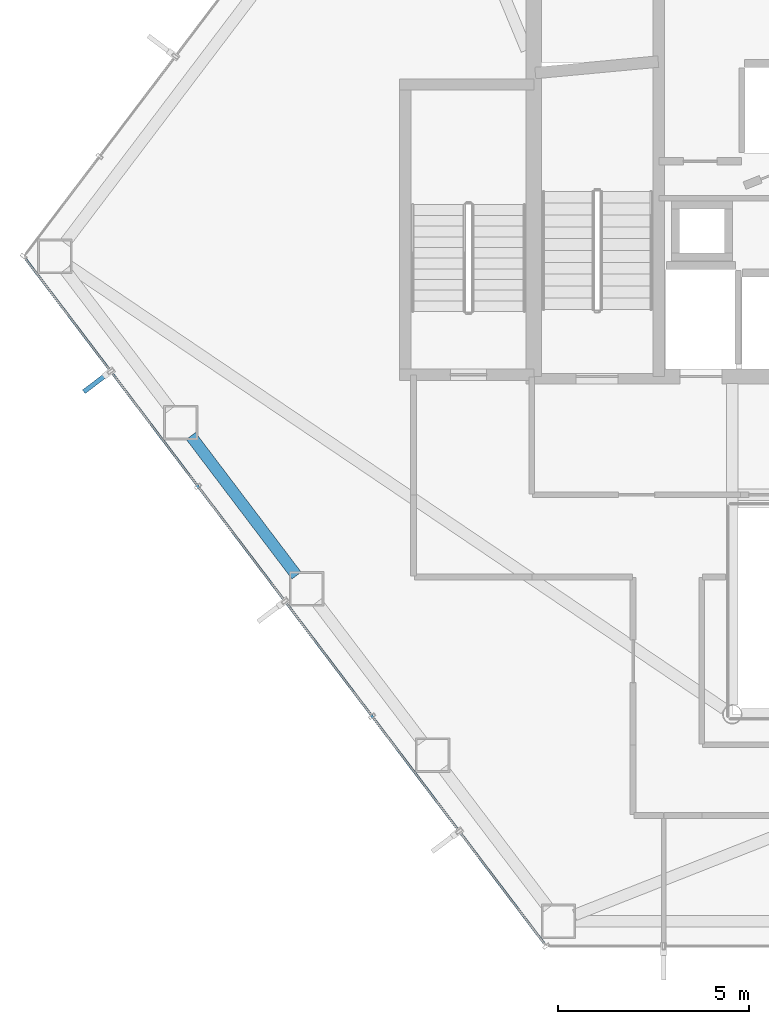
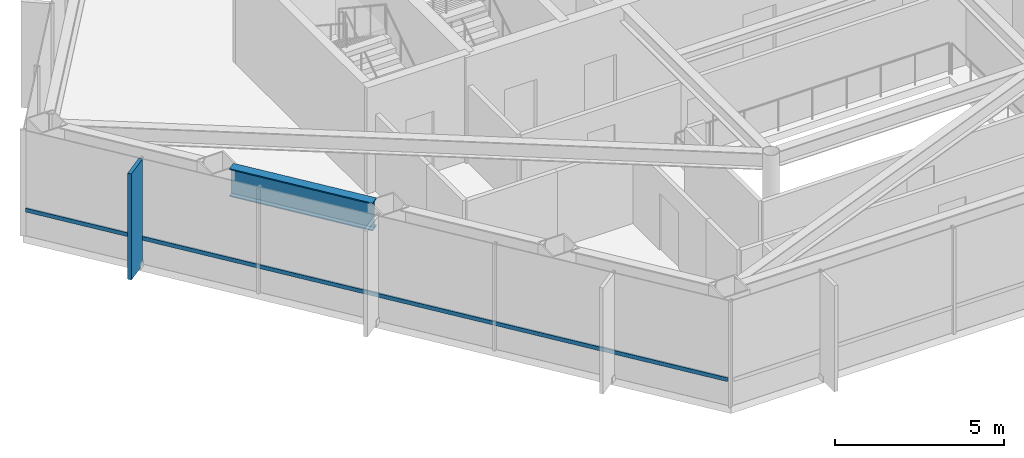
# One storey, part 3 of 24: 2 members, 1 beam, 1 element without a shape of its own.
"""IFC4 building model written with IfcOpenShell, lengths in metres."""

from ifc_helpers import new_model, si_unit, direction, frame, origin, origin_2d, place, context, subcontext, project, spatial, rectangle, hollow_rectangle, i_section, extrude, material, layer, layer_set, material_profile, profile_set, type_object, element, aggregate, save


model = new_model("IFC4")

# Units and contexts
model_context = context("Model", 3, precision=1e-05, world=origin(), true_north=direction((0.0, 1.0)))
body_context = subcontext(model_context, "Body", "Model", "MODEL_VIEW")
ifc_project = project(units=[si_unit("LENGTHUNIT", "METRE"), si_unit("AREAUNIT", "SQUARE_METRE"), si_unit("VOLUMEUNIT", "CUBIC_METRE"), si_unit("PLANEANGLEUNIT", "RADIAN"), si_unit("MASSUNIT", "GRAM", prefix="KILO")], contexts=[model_context])

# Site, building, storey
site_placement = place(None, origin())
site = spatial("IfcSite", under=ifc_project, at=site_placement, CompositionType="ELEMENT")
building_placement = place(site_placement, origin())
building = spatial("IfcBuilding", under=site, at=building_placement, Name="Zarrinselat Tower", CompositionType="ELEMENT")
storey_placement = place(building_placement, frame((0.0, 0.0, 96.89990234375)))
storey = spatial("IfcBuildingStorey", under=building, at=storey_placement, Name="L23", CompositionType="ELEMENT", Elevation=96.89990234375)

# Beam
ifc_material_1 = material(Name="Steel S460M", Category="steel")
ifc_material_profile_1 = material_profile(ifc_material_1, i_section(OverallWidth=0.302001953125, OverallDepth=1.008056640625, WebThickness=0.02099609375, FlangeThickness=0.0400390625, at=origin_2d()), Name="HEM 1000")
ifc_profile_set_1 = profile_set([ifc_material_profile_1], Name="Steel S460M")
beam_type = type_object("IfcBeamType", Name="BM-HEM1000", PredefinedType="BEAM", material=ifc_profile_set_1)
beam_placement = place(storey_placement, frame((19.61572265625, 31.69189453125, 3.316162109375), z_axis=(0.603833098178, -0.797110776206, 0.0), x_axis=(0.797110776206, 0.603833098178, 0.0)))
element("IfcBeam", 1, at=beam_placement, inside=storey, type_object=beam_type, Name="L23 Perimeter Spandrel Girder SP07", PredefinedType="BEAM", context=body_context, shape_type="SweptSolid", body=[
    extrude(i_section(OverallWidth=0.302001953125, OverallDepth=1.008056640625, WebThickness=0.02099609375, FlangeThickness=0.0400390625, at=origin_2d()), origin(), (0.0, 0.0, 1.0), 4.587890625),
])

# Curtain wall, members
ifc_material_2 = material(Name="Extruded Aluminium Alloy EN AW-6063 T6", Category="aluminium")
ifc_layer = layer(ifc_material_2, 0.18505859375)
ifc_layer_set = layer_set([ifc_layer], Name="Extruded Aluminium Alloy EN AW-6063 T6")
curtain_wall_type = type_object("IfcCurtainWallType", Name="CWS-OFF", PredefinedType="NOTDEFINED", material=ifc_layer_set)
curtain_wall_placement = place(storey_placement, origin())
curtain_wall = element("IfcCurtainWall", 2, at=curtain_wall_placement, inside=storey, type_object=curtain_wall_type, Name="L23 Unitised Curtain Wall CW-L23-E03", PredefinedType="NOTDEFINED")
ifc_material_3 = material(Name="Extruded Aluminium Alloy EN AW-6063 T6", Category="aluminium")
ifc_material_profile_2 = material_profile(ifc_material_3, hollow_rectangle(XDim=0.06005859375, YDim=0.139892578125, WallThickness=0.00390625, at=origin_2d()), Name="RHS 140x60x4")
ifc_profile_set_2 = profile_set([ifc_material_profile_2], Name="Extruded Aluminium Alloy EN AW-6063 T6")
member_type_1 = type_object("IfcMemberType", Name="MEM-CW-TRN", PredefinedType="USERDEFINED", material=ifc_profile_set_2)
member_1_placement = place(storey_placement, frame((15.290771484375, 36.32421875, 0.9501953125), z_axis=(0.603857478996, -0.797092306487, 0.0), x_axis=(0.797092306487, 0.603857478996, 0.0)))
member_1 = element("IfcMember", 3, at=member_1_placement, type_object=member_type_1, Name="CW-L23-E03 Transom 1", ObjectType="TRANSOM", PredefinedType="USERDEFINED", context=body_context, shape_type="SweptSolid", body=[
    extrude(hollow_rectangle(XDim=0.06005859375, YDim=0.139892578125, WallThickness=0.00390625, at=origin_2d()), origin(), (0.0, 0.0, 1.0), 22.490478515625),
])
ifc_material_4 = material(Name="Honed Cream Travertine Stone", Category="masonry")
ifc_material_profile_3 = material_profile(ifc_material_4, rectangle(XDim=0.1201171875, YDim=0.85009765625, at=origin_2d()), Name="FIN 850x120")
ifc_profile_set_3 = profile_set([ifc_material_profile_3], Name="Honed Cream Travertine Stone")
member_type_2 = type_object("IfcMemberType", Name="MEM-STONE-FIN", PredefinedType="USERDEFINED", material=ifc_profile_set_3)
member_2_placement = place(storey_placement, frame((17.1513671875, 33.1064453125, 0.0), z_axis=(0.0, 0.0, 1.0), x_axis=(-0.603857772927, 0.797092083812, 0.0)))
member_2 = element("IfcMember", 4, at=member_2_placement, type_object=member_type_2, Name="L23 Stone Shading Fin CW-L23-E03-01", ObjectType="FIN", PredefinedType="USERDEFINED", context=body_context, shape_type="SweptSolid", body=[
    extrude(rectangle(XDim=0.1201171875, YDim=0.85009765625, at=origin_2d()), origin(), (0.0, 0.0, 1.0), 3.820068359375),
])
aggregate(curtain_wall, [member_2, member_1])

save(model, "model.ifc")
